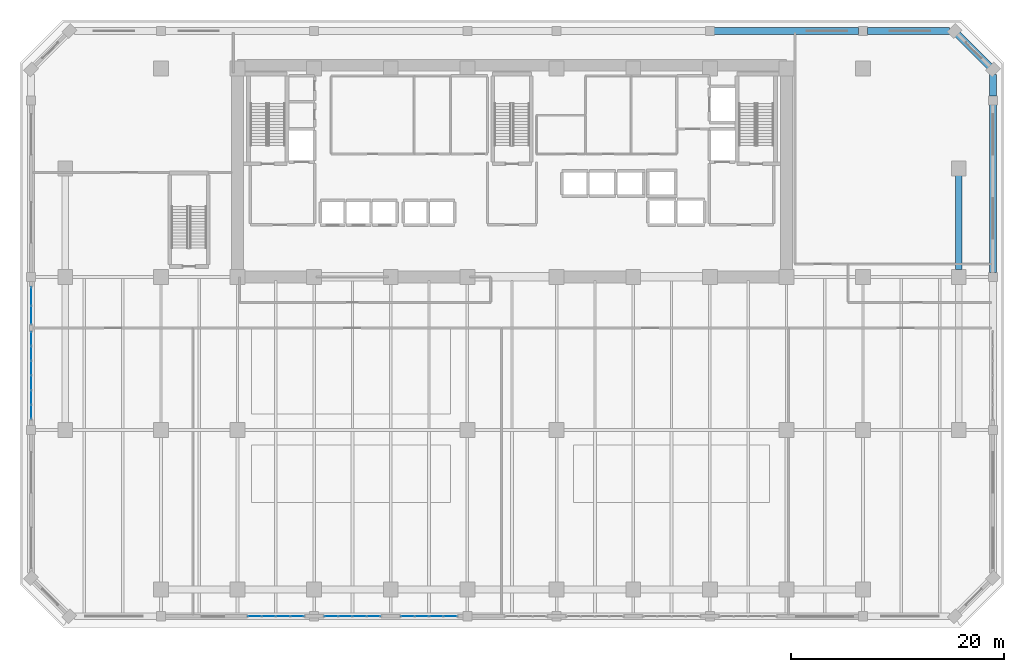
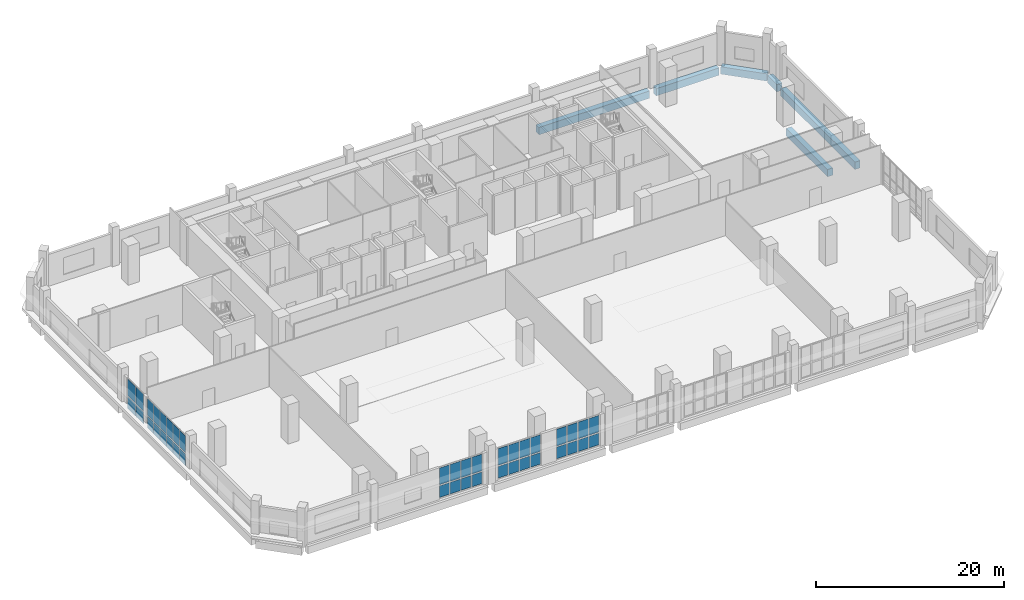
# One storey, part 16 of 25: 40 plates, 6 beams, 5 elements without a shape of their own.
"""IFC4 building model written with IfcOpenShell, lengths in metres."""

from ifc_helpers import new_model, si_unit, direction, frame, origin, origin_2d, place, context, subcontext, project, spatial, rectangle, extrude, material, layer, layer_set, material_profile, profile_set, type_object, element, aggregate, save


model = new_model("IFC4")

# Units and contexts
model_context = context("Model", 3, precision=1e-05, world=origin(), true_north=direction((0.0, 1.0)))
body_context = subcontext(model_context, "Body", "Model", "MODEL_VIEW")
ifc_project = project(units=[si_unit("LENGTHUNIT", "METRE"), si_unit("AREAUNIT", "SQUARE_METRE"), si_unit("VOLUMEUNIT", "CUBIC_METRE"), si_unit("PLANEANGLEUNIT", "RADIAN"), si_unit("MASSUNIT", "GRAM", prefix="KILO")], contexts=[model_context])

# Site, building, storey
site_placement = place(None, origin())
site = spatial("IfcSite", under=ifc_project, at=site_placement, CompositionType="ELEMENT")
building_placement = place(site_placement, origin())
building = spatial("IfcBuilding", under=site, at=building_placement, Name="Kaelvorn Grand Hotel", CompositionType="ELEMENT")
storey_placement = place(building_placement, frame((0.0, 0.0, 14.0)))
storey = spatial("IfcBuildingStorey", under=building, at=storey_placement, Name="L02", CompositionType="ELEMENT", Elevation=14.0)

# Beams
ifc_material_1 = material(Name="Concrete C60/75", Category="concrete")
ifc_material_profile = material_profile(ifc_material_1, rectangle(XDim=0.64990234375, YDim=0.949951171875, at=origin_2d()), Name="RC SPANDREL 650x950")
ifc_profile_set = profile_set([ifc_material_profile], Name="Concrete C60/75")
beam_type = type_object("IfcBeamType", Name="BM-SP-650x950-C60", PredefinedType="SPANDREL", material=ifc_profile_set)
beam_1_placement = place(storey_placement, frame((61.010009765625, 52.5, -0.794921875), z_axis=(1.0, 0.0, 0.0), x_axis=(0.0, 1.0, 0.0)))
element("IfcBeam", 1, at=beam_1_placement, inside=storey, type_object=beam_type, Name="L02 North Perimeter Spandrel 06", PredefinedType="SPANDREL", context=body_context, shape_type="SweptSolid", body=[
    extrude(rectangle(XDim=0.64990234375, YDim=0.949951171875, at=origin_2d()), origin(), (0.0, 0.0, 1.0), 13.580078125),
])
beam_2_placement = place(storey_placement, frame((75.409912109375, 52.5, -0.794921875), z_axis=(1.0, 0.0, 0.0), x_axis=(0.0, 1.0, 0.0)))
element("IfcBeam", 2, at=beam_2_placement, inside=storey, type_object=beam_type, Name="L02 North Perimeter Spandrel 07", PredefinedType="SPANDREL", context=body_context, shape_type="SweptSolid", body=[
    extrude(rectangle(XDim=0.64990234375, YDim=0.949951171875, at=origin_2d()), origin(), (0.0, 0.0, 1.0), 7.705078125),
])
beam_3_placement = place(storey_placement, frame((87.199951171875, 29.81005859375, -0.794921875), z_axis=(0.0, 1.0, 0.0), x_axis=(-1.0, 0.0, 0.0)))
element("IfcBeam", 3, at=beam_3_placement, inside=storey, type_object=beam_type, Name="L02 East Perimeter Spandrel 03", PredefinedType="SPANDREL", context=body_context, shape_type="SweptSolid", body=[
    extrude(rectangle(XDim=0.64990234375, YDim=0.949951171875, at=origin_2d()), origin(), (0.0, 0.0, 1.0), 15.780029296875),
])
beam_4_placement = place(storey_placement, frame((87.199951171875, 46.409912109375, -0.794921875), z_axis=(0.0, 1.0, 0.0), x_axis=(-1.0, 0.0, 0.0)))
element("IfcBeam", 4, at=beam_4_placement, inside=storey, type_object=beam_type, Name="L02 East Perimeter Spandrel 04", PredefinedType="SPANDREL", context=body_context, shape_type="SweptSolid", body=[
    extrude(rectangle(XDim=0.64990234375, YDim=0.949951171875, at=origin_2d()), origin(), (0.0, 0.0, 1.0), 2.005126953125),
])
beam_5_placement = place(storey_placement, frame((87.199951171875, 48.89990234375, -0.794921875), z_axis=(-0.707082803744, 0.707130757816, 0.0), x_axis=(-0.707130757816, -0.707082803744, 0.0)))
element("IfcBeam", 5, at=beam_5_placement, inside=storey, type_object=beam_type, Name="L02 Chamfer Spandrel Beam 2", PredefinedType="SPANDREL", context=body_context, shape_type="SweptSolid", body=[
    extrude(rectangle(XDim=0.64990234375, YDim=0.949951171875, at=origin_2d()), origin(), (0.0, 0.0, 1.0), 5.091064453125),
])
beam_6_placement = place(storey_placement, frame((84.0, 30.0849609375, -0.794921875), z_axis=(0.0, 1.0, 0.0), x_axis=(-1.0, 0.0, 0.0)))
element("IfcBeam", 6, at=beam_6_placement, inside=storey, type_object=beam_type, Name="L02 Tower Wing Girder TE 02", PredefinedType="SPANDREL", context=body_context, shape_type="SweptSolid", body=[
    extrude(rectangle(XDim=0.64990234375, YDim=0.949951171875, at=origin_2d()), origin(), (0.0, 0.0, 1.0), 8.830078125),
])

# Curtain wall, plates
ifc_material_2 = material(Name="Anodised Aluminium", Category="aluminium")
ifc_layer_1 = layer(ifc_material_2, 0.199951171875)
ifc_layer_set_1 = layer_set([ifc_layer_1], Name="Anodised Aluminium")
curtain_wall_type = type_object("IfcCurtainWallType", Name="CW-SYS2", PredefinedType="NOTDEFINED", material=ifc_layer_set_1)
curtain_wall_1_placement = place(storey_placement, origin())
curtain_wall_1 = element("IfcCurtainWall", 7, at=curtain_wall_1_placement, inside=storey, type_object=curtain_wall_type, Name="L02 Unitised Curtain Wall CW2 (CW-L02-S-01)", PredefinedType="NOTDEFINED")
ifc_material_3 = material(Name="Laminated Low-E Glass", Category="glass")
ifc_layer_2 = layer(ifc_material_3, 0.031982421875)
ifc_layer_set_2 = layer_set([ifc_layer_2], Name="Laminated Low-E Glass")
plate_type = type_object("IfcPlateType", Name="CW-SYS2-PAN", PredefinedType="CURTAIN_PANEL", material=ifc_layer_set_2)
plate_1_placement = place(storey_placement, frame((17.808837890625, -2.5, 0.14990234375), z_axis=(0.0, 0.0, 1.0), x_axis=(1.0, 0.0, 0.0)))
plate_1 = element("IfcPlate", 8, at=plate_1_placement, type_object=plate_type, Name="CW2 panel 1.1", PredefinedType="CURTAIN_PANEL", context=body_context, shape_type="SweptSolid", body=[
    extrude(rectangle(XDim=1.2275390625, YDim=0.031982421875, at=origin_2d()), origin(), (0.0, 0.0, 1.0), 1.509521484375),
])
plate_2_placement = place(storey_placement, frame((17.808837890625, -2.5, 1.8095703125), z_axis=(0.0, 0.0, 1.0), x_axis=(1.0, 0.0, 0.0)))
plate_2 = element("IfcPlate", 9, at=plate_2_placement, type_object=plate_type, Name="CW2 panel 1.2", PredefinedType="CURTAIN_PANEL", context=body_context, shape_type="SweptSolid", body=[
    extrude(rectangle(XDim=1.2275390625, YDim=0.031982421875, at=origin_2d()), origin(), (0.0, 0.0, 1.0), 2.17041015625),
])
plate_3_placement = place(storey_placement, frame((19.1298828125, -2.5, 0.14990234375), z_axis=(0.0, 0.0, 1.0), x_axis=(1.0, 0.0, 0.0)))
plate_3 = element("IfcPlate", 10, at=plate_3_placement, type_object=plate_type, Name="CW2 panel 2.1", PredefinedType="CURTAIN_PANEL", context=body_context, shape_type="SweptSolid", body=[
    extrude(rectangle(XDim=1.264892578125, YDim=0.031982421875, at=origin_2d()), origin(), (0.0, 0.0, 1.0), 1.509521484375),
])
plate_4_placement = place(storey_placement, frame((19.1298828125, -2.5, 1.8095703125), z_axis=(0.0, 0.0, 1.0), x_axis=(1.0, 0.0, 0.0)))
plate_4 = element("IfcPlate", 11, at=plate_4_placement, type_object=plate_type, Name="CW2 panel 2.2", PredefinedType="CURTAIN_PANEL", context=body_context, shape_type="SweptSolid", body=[
    extrude(rectangle(XDim=1.264892578125, YDim=0.031982421875, at=origin_2d()), origin(), (0.0, 0.0, 1.0), 2.17041015625),
])
plate_5_placement = place(storey_placement, frame((20.469970703125, -2.5, 0.14990234375), z_axis=(0.0, 0.0, 1.0), x_axis=(1.0, 0.0, 0.0)))
plate_5 = element("IfcPlate", 12, at=plate_5_placement, type_object=plate_type, Name="CW2 panel 3.1", PredefinedType="CURTAIN_PANEL", context=body_context, shape_type="SweptSolid", body=[
    extrude(rectangle(XDim=1.264892578125, YDim=0.031982421875, at=origin_2d()), origin(), (0.0, 0.0, 1.0), 1.509521484375),
])
plate_6_placement = place(storey_placement, frame((20.469970703125, -2.5, 1.8095703125), z_axis=(0.0, 0.0, 1.0), x_axis=(1.0, 0.0, 0.0)))
plate_6 = element("IfcPlate", 13, at=plate_6_placement, type_object=plate_type, Name="CW2 panel 3.2", PredefinedType="CURTAIN_PANEL", context=body_context, shape_type="SweptSolid", body=[
    extrude(rectangle(XDim=1.264892578125, YDim=0.031982421875, at=origin_2d()), origin(), (0.0, 0.0, 1.0), 2.17041015625),
])
plate_7_placement = place(storey_placement, frame((21.791259765625, -2.5, 0.14990234375), z_axis=(0.0, 0.0, 1.0), x_axis=(1.0, 0.0, 0.0)))
plate_7 = element("IfcPlate", 14, at=plate_7_placement, type_object=plate_type, Name="CW2 panel 4.1", PredefinedType="CURTAIN_PANEL", context=body_context, shape_type="SweptSolid", body=[
    extrude(rectangle(XDim=1.2275390625, YDim=0.031982421875, at=origin_2d()), origin(), (0.0, 0.0, 1.0), 1.509521484375),
])
plate_8_placement = place(storey_placement, frame((21.791259765625, -2.5, 1.8095703125), z_axis=(0.0, 0.0, 1.0), x_axis=(1.0, 0.0, 0.0)))
plate_8 = element("IfcPlate", 15, at=plate_8_placement, type_object=plate_type, Name="CW2 panel 4.2", PredefinedType="CURTAIN_PANEL", context=body_context, shape_type="SweptSolid", body=[
    extrude(rectangle(XDim=1.2275390625, YDim=0.031982421875, at=origin_2d()), origin(), (0.0, 0.0, 1.0), 2.17041015625),
])
aggregate(curtain_wall_1, [plate_1, plate_2, plate_3, plate_4, plate_5, plate_6, plate_7, plate_8])

curtain_wall_2_placement = place(storey_placement, origin())
curtain_wall_2 = element("IfcCurtainWall", 16, at=curtain_wall_2_placement, inside=storey, type_object=curtain_wall_type, Name="L02 Unitised Curtain Wall CW2 (CW-L02-S-02)", PredefinedType="NOTDEFINED")
plate_9_placement = place(storey_placement, frame((25.0087890625, -2.5, 0.14990234375), z_axis=(0.0, 0.0, 1.0), x_axis=(1.0, 0.0, 0.0)))
plate_9 = element("IfcPlate", 17, at=plate_9_placement, type_object=plate_type, Name="CW2 panel 1.1", PredefinedType="CURTAIN_PANEL", context=body_context, shape_type="SweptSolid", body=[
    extrude(rectangle(XDim=1.2275390625, YDim=0.031982421875, at=origin_2d()), origin(), (0.0, 0.0, 1.0), 1.509521484375),
])
plate_10_placement = place(storey_placement, frame((25.0087890625, -2.5, 1.8095703125), z_axis=(0.0, 0.0, 1.0), x_axis=(1.0, 0.0, 0.0)))
plate_10 = element("IfcPlate", 18, at=plate_10_placement, type_object=plate_type, Name="CW2 panel 1.2", PredefinedType="CURTAIN_PANEL", context=body_context, shape_type="SweptSolid", body=[
    extrude(rectangle(XDim=1.2275390625, YDim=0.031982421875, at=origin_2d()), origin(), (0.0, 0.0, 1.0), 2.17041015625),
])
plate_11_placement = place(storey_placement, frame((26.330078125, -2.5, 0.14990234375), z_axis=(0.0, 0.0, 1.0), x_axis=(1.0, 0.0, 0.0)))
plate_11 = element("IfcPlate", 19, at=plate_11_placement, type_object=plate_type, Name="CW2 panel 2.1", PredefinedType="CURTAIN_PANEL", context=body_context, shape_type="SweptSolid", body=[
    extrude(rectangle(XDim=1.264892578125, YDim=0.031982421875, at=origin_2d()), origin(), (0.0, 0.0, 1.0), 1.509521484375),
])
plate_12_placement = place(storey_placement, frame((26.330078125, -2.5, 1.8095703125), z_axis=(0.0, 0.0, 1.0), x_axis=(1.0, 0.0, 0.0)))
plate_12 = element("IfcPlate", 20, at=plate_12_placement, type_object=plate_type, Name="CW2 panel 2.2", PredefinedType="CURTAIN_PANEL", context=body_context, shape_type="SweptSolid", body=[
    extrude(rectangle(XDim=1.264892578125, YDim=0.031982421875, at=origin_2d()), origin(), (0.0, 0.0, 1.0), 2.17041015625),
])
plate_13_placement = place(storey_placement, frame((27.669921875, -2.5, 0.14990234375), z_axis=(0.0, 0.0, 1.0), x_axis=(1.0, 0.0, 0.0)))
plate_13 = element("IfcPlate", 21, at=plate_13_placement, type_object=plate_type, Name="CW2 panel 3.1", PredefinedType="CURTAIN_PANEL", context=body_context, shape_type="SweptSolid", body=[
    extrude(rectangle(XDim=1.264892578125, YDim=0.031982421875, at=origin_2d()), origin(), (0.0, 0.0, 1.0), 1.509521484375),
])
plate_14_placement = place(storey_placement, frame((27.669921875, -2.5, 1.8095703125), z_axis=(0.0, 0.0, 1.0), x_axis=(1.0, 0.0, 0.0)))
plate_14 = element("IfcPlate", 22, at=plate_14_placement, type_object=plate_type, Name="CW2 panel 3.2", PredefinedType="CURTAIN_PANEL", context=body_context, shape_type="SweptSolid", body=[
    extrude(rectangle(XDim=1.264892578125, YDim=0.031982421875, at=origin_2d()), origin(), (0.0, 0.0, 1.0), 2.17041015625),
])
plate_15_placement = place(storey_placement, frame((28.9912109375, -2.5, 0.14990234375), z_axis=(0.0, 0.0, 1.0), x_axis=(1.0, 0.0, 0.0)))
plate_15 = element("IfcPlate", 23, at=plate_15_placement, type_object=plate_type, Name="CW2 panel 4.1", PredefinedType="CURTAIN_PANEL", context=body_context, shape_type="SweptSolid", body=[
    extrude(rectangle(XDim=1.2275390625, YDim=0.031982421875, at=origin_2d()), origin(), (0.0, 0.0, 1.0), 1.509521484375),
])
plate_16_placement = place(storey_placement, frame((28.9912109375, -2.5, 1.8095703125), z_axis=(0.0, 0.0, 1.0), x_axis=(1.0, 0.0, 0.0)))
plate_16 = element("IfcPlate", 24, at=plate_16_placement, type_object=plate_type, Name="CW2 panel 4.2", PredefinedType="CURTAIN_PANEL", context=body_context, shape_type="SweptSolid", body=[
    extrude(rectangle(XDim=1.2275390625, YDim=0.031982421875, at=origin_2d()), origin(), (0.0, 0.0, 1.0), 2.17041015625),
])
aggregate(curtain_wall_2, [plate_9, plate_10, plate_11, plate_12, plate_13, plate_14, plate_15, plate_16])

curtain_wall_3_placement = place(storey_placement, origin())
curtain_wall_3 = element("IfcCurtainWall", 25, at=curtain_wall_3_placement, inside=storey, type_object=curtain_wall_type, Name="L02 Unitised Curtain Wall CW2 (CW-L02-S-03)", PredefinedType="NOTDEFINED")
plate_17_placement = place(storey_placement, frame((32.208740234375, -2.5, 0.14990234375), z_axis=(0.0, 0.0, 1.0), x_axis=(1.0, 0.0, 0.0)))
plate_17 = element("IfcPlate", 26, at=plate_17_placement, type_object=plate_type, Name="CW2 panel 1.1", PredefinedType="CURTAIN_PANEL", context=body_context, shape_type="SweptSolid", body=[
    extrude(rectangle(XDim=1.2275390625, YDim=0.031982421875, at=origin_2d()), origin(), (0.0, 0.0, 1.0), 1.509521484375),
])
plate_18_placement = place(storey_placement, frame((32.208740234375, -2.5, 1.8095703125), z_axis=(0.0, 0.0, 1.0), x_axis=(1.0, 0.0, 0.0)))
plate_18 = element("IfcPlate", 27, at=plate_18_placement, type_object=plate_type, Name="CW2 panel 1.2", PredefinedType="CURTAIN_PANEL", context=body_context, shape_type="SweptSolid", body=[
    extrude(rectangle(XDim=1.2275390625, YDim=0.031982421875, at=origin_2d()), origin(), (0.0, 0.0, 1.0), 2.17041015625),
])
plate_19_placement = place(storey_placement, frame((33.530029296875, -2.5, 0.14990234375), z_axis=(0.0, 0.0, 1.0), x_axis=(1.0, 0.0, 0.0)))
plate_19 = element("IfcPlate", 28, at=plate_19_placement, type_object=plate_type, Name="CW2 panel 2.1", PredefinedType="CURTAIN_PANEL", context=body_context, shape_type="SweptSolid", body=[
    extrude(rectangle(XDim=1.264892578125, YDim=0.031982421875, at=origin_2d()), origin(), (0.0, 0.0, 1.0), 1.509521484375),
])
plate_20_placement = place(storey_placement, frame((33.530029296875, -2.5, 1.8095703125), z_axis=(0.0, 0.0, 1.0), x_axis=(1.0, 0.0, 0.0)))
plate_20 = element("IfcPlate", 29, at=plate_20_placement, type_object=plate_type, Name="CW2 panel 2.2", PredefinedType="CURTAIN_PANEL", context=body_context, shape_type="SweptSolid", body=[
    extrude(rectangle(XDim=1.264892578125, YDim=0.031982421875, at=origin_2d()), origin(), (0.0, 0.0, 1.0), 2.17041015625),
])
plate_21_placement = place(storey_placement, frame((34.8701171875, -2.5, 0.14990234375), z_axis=(0.0, 0.0, 1.0), x_axis=(1.0, 0.0, 0.0)))
plate_21 = element("IfcPlate", 30, at=plate_21_placement, type_object=plate_type, Name="CW2 panel 3.1", PredefinedType="CURTAIN_PANEL", context=body_context, shape_type="SweptSolid", body=[
    extrude(rectangle(XDim=1.264892578125, YDim=0.031982421875, at=origin_2d()), origin(), (0.0, 0.0, 1.0), 1.509521484375),
])
plate_22_placement = place(storey_placement, frame((34.8701171875, -2.5, 1.8095703125), z_axis=(0.0, 0.0, 1.0), x_axis=(1.0, 0.0, 0.0)))
plate_22 = element("IfcPlate", 31, at=plate_22_placement, type_object=plate_type, Name="CW2 panel 3.2", PredefinedType="CURTAIN_PANEL", context=body_context, shape_type="SweptSolid", body=[
    extrude(rectangle(XDim=1.264892578125, YDim=0.031982421875, at=origin_2d()), origin(), (0.0, 0.0, 1.0), 2.17041015625),
])
plate_23_placement = place(storey_placement, frame((36.191162109375, -2.5, 0.14990234375), z_axis=(0.0, 0.0, 1.0), x_axis=(1.0, 0.0, 0.0)))
plate_23 = element("IfcPlate", 32, at=plate_23_placement, type_object=plate_type, Name="CW2 panel 4.1", PredefinedType="CURTAIN_PANEL", context=body_context, shape_type="SweptSolid", body=[
    extrude(rectangle(XDim=1.2275390625, YDim=0.031982421875, at=origin_2d()), origin(), (0.0, 0.0, 1.0), 1.509521484375),
])
plate_24_placement = place(storey_placement, frame((36.191162109375, -2.5, 1.8095703125), z_axis=(0.0, 0.0, 1.0), x_axis=(1.0, 0.0, 0.0)))
plate_24 = element("IfcPlate", 33, at=plate_24_placement, type_object=plate_type, Name="CW2 panel 4.2", PredefinedType="CURTAIN_PANEL", context=body_context, shape_type="SweptSolid", body=[
    extrude(rectangle(XDim=1.2275390625, YDim=0.031982421875, at=origin_2d()), origin(), (0.0, 0.0, 1.0), 2.17041015625),
])
aggregate(curtain_wall_3, [plate_17, plate_18, plate_19, plate_20, plate_21, plate_22, plate_23, plate_24])

curtain_wall_4_placement = place(storey_placement, origin())
curtain_wall_4 = element("IfcCurtainWall", 34, at=curtain_wall_4_placement, inside=storey, type_object=curtain_wall_type, Name="L02 Unitised Curtain Wall CW2 (CW-L02-W-02)", PredefinedType="NOTDEFINED")
plate_25_placement = place(storey_placement, frame((-3.199951171875, 27.5712890625, 0.14990234375), z_axis=(0.0, 0.0, 1.0), x_axis=(0.0, -1.0, 0.0)))
plate_25 = element("IfcPlate", 35, at=plate_25_placement, type_object=plate_type, Name="CW2 panel 1.1", PredefinedType="CURTAIN_PANEL", context=body_context, shape_type="SweptSolid", body=[
    extrude(rectangle(XDim=1.66748046875, YDim=0.031982421875, at=origin_2d()), origin(), (0.0, 0.0, 1.0), 1.509521484375),
])
plate_26_placement = place(storey_placement, frame((-3.199951171875, 27.5712890625, 1.8095703125), z_axis=(0.0, 0.0, 1.0), x_axis=(0.0, -1.0, 0.0)))
plate_26 = element("IfcPlate", 36, at=plate_26_placement, type_object=plate_type, Name="CW2 panel 1.2", PredefinedType="CURTAIN_PANEL", context=body_context, shape_type="SweptSolid", body=[
    extrude(rectangle(XDim=1.66748046875, YDim=0.031982421875, at=origin_2d()), origin(), (0.0, 0.0, 1.0), 2.17041015625),
])
plate_27_placement = place(storey_placement, frame((-3.199951171875, 25.828857421875, 0.14990234375), z_axis=(0.0, 0.0, 1.0), x_axis=(0.0, -1.0, 0.0)))
plate_27 = element("IfcPlate", 37, at=plate_27_placement, type_object=plate_type, Name="CW2 panel 2.1", PredefinedType="CURTAIN_PANEL", context=body_context, shape_type="SweptSolid", body=[
    extrude(rectangle(XDim=1.66748046875, YDim=0.031982421875, at=origin_2d()), origin(), (0.0, 0.0, 1.0), 1.509521484375),
])
plate_28_placement = place(storey_placement, frame((-3.199951171875, 25.828857421875, 1.8095703125), z_axis=(0.0, 0.0, 1.0), x_axis=(0.0, -1.0, 0.0)))
plate_28 = element("IfcPlate", 38, at=plate_28_placement, type_object=plate_type, Name="CW2 panel 2.2", PredefinedType="CURTAIN_PANEL", context=body_context, shape_type="SweptSolid", body=[
    extrude(rectangle(XDim=1.66748046875, YDim=0.031982421875, at=origin_2d()), origin(), (0.0, 0.0, 1.0), 2.17041015625),
])
aggregate(curtain_wall_4, [plate_25, plate_26, plate_27, plate_28])

curtain_wall_5_placement = place(storey_placement, origin())
curtain_wall_5 = element("IfcCurtainWall", 39, at=curtain_wall_5_placement, inside=storey, type_object=curtain_wall_type, Name="L02 Unitised Curtain Wall CW2 (CW-L02-W-01)", PredefinedType="NOTDEFINED")
plate_29_placement = place(storey_placement, frame((-3.199951171875, 23.5712890625, 0.14990234375), z_axis=(0.0, 0.0, 1.0), x_axis=(0.0, -1.0, 0.0)))
plate_29 = element("IfcPlate", 40, at=plate_29_placement, type_object=plate_type, Name="CW2 panel 1.1", PredefinedType="CURTAIN_PANEL", context=body_context, shape_type="SweptSolid", body=[
    extrude(rectangle(XDim=1.267578125, YDim=0.031982421875, at=origin_2d()), origin(), (0.0, 0.0, 1.0), 1.509521484375),
])
plate_30_placement = place(storey_placement, frame((-3.199951171875, 23.5712890625, 1.8095703125), z_axis=(0.0, 0.0, 1.0), x_axis=(0.0, -1.0, 0.0)))
plate_30 = element("IfcPlate", 41, at=plate_30_placement, type_object=plate_type, Name="CW2 panel 1.2", PredefinedType="CURTAIN_PANEL", context=body_context, shape_type="SweptSolid", body=[
    extrude(rectangle(XDim=1.267578125, YDim=0.031982421875, at=origin_2d()), origin(), (0.0, 0.0, 1.0), 2.17041015625),
])
plate_31_placement = place(storey_placement, frame((-3.199951171875, 22.2099609375, 0.14990234375), z_axis=(0.0, 0.0, 1.0), x_axis=(0.0, -1.0, 0.0)))
plate_31 = element("IfcPlate", 42, at=plate_31_placement, type_object=plate_type, Name="CW2 panel 2.1", PredefinedType="CURTAIN_PANEL", context=body_context, shape_type="SweptSolid", body=[
    extrude(rectangle(XDim=1.304931640625, YDim=0.031982421875, at=origin_2d()), origin(), (0.0, 0.0, 1.0), 1.509521484375),
])
plate_32_placement = place(storey_placement, frame((-3.199951171875, 22.2099609375, 1.8095703125), z_axis=(0.0, 0.0, 1.0), x_axis=(0.0, -1.0, 0.0)))
plate_32 = element("IfcPlate", 43, at=plate_32_placement, type_object=plate_type, Name="CW2 panel 2.2", PredefinedType="CURTAIN_PANEL", context=body_context, shape_type="SweptSolid", body=[
    extrude(rectangle(XDim=1.304931640625, YDim=0.031982421875, at=origin_2d()), origin(), (0.0, 0.0, 1.0), 2.17041015625),
])
plate_33_placement = place(storey_placement, frame((-3.199951171875, 20.830078125, 0.14990234375), z_axis=(0.0, 0.0, 1.0), x_axis=(0.0, -1.0, 0.0)))
plate_33 = element("IfcPlate", 44, at=plate_33_placement, type_object=plate_type, Name="CW2 panel 3.1", PredefinedType="CURTAIN_PANEL", context=body_context, shape_type="SweptSolid", body=[
    extrude(rectangle(XDim=1.304931640625, YDim=0.031982421875, at=origin_2d()), origin(), (0.0, 0.0, 1.0), 1.509521484375),
])
plate_34_placement = place(storey_placement, frame((-3.199951171875, 20.830078125, 1.8095703125), z_axis=(0.0, 0.0, 1.0), x_axis=(0.0, -1.0, 0.0)))
plate_34 = element("IfcPlate", 45, at=plate_34_placement, type_object=plate_type, Name="CW2 panel 3.2", PredefinedType="CURTAIN_PANEL", context=body_context, shape_type="SweptSolid", body=[
    extrude(rectangle(XDim=1.304931640625, YDim=0.031982421875, at=origin_2d()), origin(), (0.0, 0.0, 1.0), 2.17041015625),
])
plate_35_placement = place(storey_placement, frame((-3.199951171875, 19.449951171875, 0.14990234375), z_axis=(0.0, 0.0, 1.0), x_axis=(0.0, -1.0, 0.0)))
plate_35 = element("IfcPlate", 46, at=plate_35_placement, type_object=plate_type, Name="CW2 panel 4.1", PredefinedType="CURTAIN_PANEL", context=body_context, shape_type="SweptSolid", body=[
    extrude(rectangle(XDim=1.304931640625, YDim=0.031982421875, at=origin_2d()), origin(), (0.0, 0.0, 1.0), 1.509521484375),
])
plate_36_placement = place(storey_placement, frame((-3.199951171875, 19.449951171875, 1.8095703125), z_axis=(0.0, 0.0, 1.0), x_axis=(0.0, -1.0, 0.0)))
plate_36 = element("IfcPlate", 47, at=plate_36_placement, type_object=plate_type, Name="CW2 panel 4.2", PredefinedType="CURTAIN_PANEL", context=body_context, shape_type="SweptSolid", body=[
    extrude(rectangle(XDim=1.304931640625, YDim=0.031982421875, at=origin_2d()), origin(), (0.0, 0.0, 1.0), 2.17041015625),
])
plate_37_placement = place(storey_placement, frame((-3.199951171875, 18.070068359375, 0.14990234375), z_axis=(0.0, 0.0, 1.0), x_axis=(0.0, -1.0, 0.0)))
plate_37 = element("IfcPlate", 48, at=plate_37_placement, type_object=plate_type, Name="CW2 panel 5.1", PredefinedType="CURTAIN_PANEL", context=body_context, shape_type="SweptSolid", body=[
    extrude(rectangle(XDim=1.304931640625, YDim=0.031982421875, at=origin_2d()), origin(), (0.0, 0.0, 1.0), 1.509521484375),
])
plate_38_placement = place(storey_placement, frame((-3.199951171875, 18.070068359375, 1.8095703125), z_axis=(0.0, 0.0, 1.0), x_axis=(0.0, -1.0, 0.0)))
plate_38 = element("IfcPlate", 49, at=plate_38_placement, type_object=plate_type, Name="CW2 panel 5.2", PredefinedType="CURTAIN_PANEL", context=body_context, shape_type="SweptSolid", body=[
    extrude(rectangle(XDim=1.304931640625, YDim=0.031982421875, at=origin_2d()), origin(), (0.0, 0.0, 1.0), 2.17041015625),
])
plate_39_placement = place(storey_placement, frame((-3.199951171875, 16.708740234375, 0.14990234375), z_axis=(0.0, 0.0, 1.0), x_axis=(0.0, -1.0, 0.0)))
plate_39 = element("IfcPlate", 50, at=plate_39_placement, type_object=plate_type, Name="CW2 panel 6.1", PredefinedType="CURTAIN_PANEL", context=body_context, shape_type="SweptSolid", body=[
    extrude(rectangle(XDim=1.267578125, YDim=0.031982421875, at=origin_2d()), origin(), (0.0, 0.0, 1.0), 1.509521484375),
])
plate_40_placement = place(storey_placement, frame((-3.199951171875, 16.708740234375, 1.8095703125), z_axis=(0.0, 0.0, 1.0), x_axis=(0.0, -1.0, 0.0)))
plate_40 = element("IfcPlate", 51, at=plate_40_placement, type_object=plate_type, Name="CW2 panel 6.2", PredefinedType="CURTAIN_PANEL", context=body_context, shape_type="SweptSolid", body=[
    extrude(rectangle(XDim=1.267578125, YDim=0.031982421875, at=origin_2d()), origin(), (0.0, 0.0, 1.0), 2.17041015625),
])
aggregate(curtain_wall_5, [plate_29, plate_30, plate_31, plate_32, plate_33, plate_34, plate_35, plate_36, plate_37, plate_38, plate_39, plate_40])

save(model, "model.ifc")
